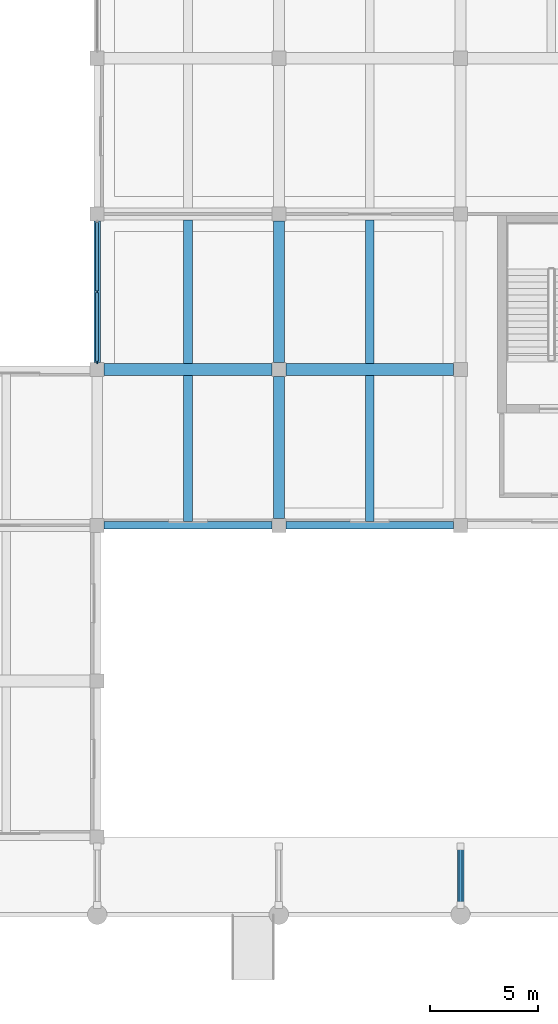
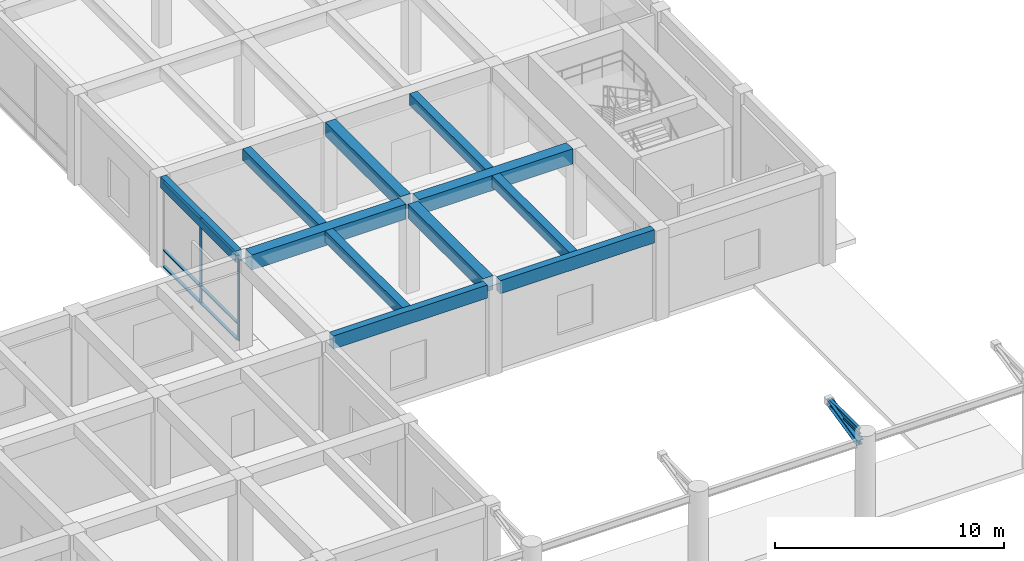
# One storey, part 16 of 49: 12 beams, 9 members, 1 element without a shape of its own.
"""IFC4 building model written with IfcOpenShell, lengths in metres."""

import ifcopenshell
import ifcopenshell.guid

model = None  # the IFC model being written
_history = None  # IfcOwnerHistory: only IFC2X3 demands one
_inside = {}  # id of a spatial element -> (the spatial element, [elements in it])
_under = {}  # id of a project, library or spatial element -> (it, [spatial elements below it])
_declared = {}  # id of a project -> (the project, [libraries it declares])
_typed = {}  # id of a type object -> (the type object, [elements of that type])
_made_of = {}  # id of a material, layer set ... -> (it, [elements and type objects made of it])


def new_model(schema):
    """Start an empty IFC model of exactly this schema.

    Asked for "IFC4X3", IfcOpenShell would pick the latest addendum, in which some entities
    have other attributes; the version numbers below select the first issue.
    IFC2X3 requires an IfcOwnerHistory on every rooted entity: one is made here for all.
    """
    global model, _history
    if schema == "IFC4X3":
        model = ifcopenshell.file(schema_version=(4, 3, 0, 0))
    else:
        model = ifcopenshell.file(schema=schema)
    _inside.clear()
    _under.clear()
    _declared.clear()
    _typed.clear()
    _made_of.clear()
    _history = None
    if model.schema == "IFC2X3":
        org = make("IfcOrganization", Name="unknown")
        user = make(
            "IfcPersonAndOrganization",
            ThePerson=make("IfcPerson", FamilyName="unknown"),
            TheOrganization=org,
        )
        app = make(
            "IfcApplication",
            ApplicationDeveloper=org,
            Version="unknown",
            ApplicationFullName="unknown",
            ApplicationIdentifier="unknown",
        )
        _history = make(
            "IfcOwnerHistory",
            OwningUser=user,
            OwningApplication=app,
            ChangeAction="ADDED",
            CreationDate=0,
        )
    return model


def make(cls, **values):
    """One entity of the class cls with the attributes given. An attribute that is None is left unset."""
    return model.create_entity(
        cls, **{name: value for name, value in values.items() if value is not None}
    )


def rooted(cls, **values):
    """An entity with a GlobalId (a new one), such as an element, a storey or a relation."""
    return make(cls, GlobalId=ifcopenshell.guid.new(), OwnerHistory=_history, **values)


def si_unit(unit_type, name, prefix=None):
    """IfcSIUnit, for example si_unit("LENGTHUNIT", "METRE", prefix="MILLI")."""
    return make("IfcSIUnit", UnitType=unit_type, Prefix=prefix, Name=name)


def assignment(units):
    """IfcUnitAssignment: the units of a project."""
    return None if units is None else make("IfcUnitAssignment", Units=units)


def point(xyz):
    """IfcCartesianPoint."""
    return None if xyz is None else make("IfcCartesianPoint", Coordinates=xyz)


def direction(xyz):
    """IfcDirection."""
    return None if xyz is None else make("IfcDirection", DirectionRatios=xyz)


def frame(location, z_axis=None, x_axis=None):
    """IfcAxis2Placement3D, a coordinate frame: its origin and axes. An axis left out is left unset."""
    return make(
        "IfcAxis2Placement3D",
        Location=point(location),
        Axis=direction(z_axis),
        RefDirection=direction(x_axis),
    )


def frame_2d(location, x_axis=None):
    """IfcAxis2Placement2D, a coordinate frame in the plane: its origin and x axis."""
    return make(
        "IfcAxis2Placement2D", Location=point(location), RefDirection=direction(x_axis)
    )


def origin():
    """The frame at (0, 0, 0) with its axes left unset."""
    return frame((0.0, 0.0, 0.0))


def origin_2d():
    """The frame at (0, 0) in the plane with its x axis left unset."""
    return frame_2d((0.0, 0.0))


def place(relative_to, where):
    """IfcLocalPlacement: puts the frame where relative to a parent placement (None: the world)."""
    return make(
        "IfcLocalPlacement", PlacementRelTo=relative_to, RelativePlacement=where
    )


def context(
    kind, dimensions, precision=None, world=None, true_north=None, identifier=None
):
    """IfcGeometricRepresentationContext, for example the 3D "Model" context."""
    return make(
        "IfcGeometricRepresentationContext",
        ContextIdentifier=identifier,
        ContextType=kind,
        CoordinateSpaceDimension=dimensions,
        Precision=precision,
        WorldCoordinateSystem=world,
        TrueNorth=true_north,
    )


def subcontext(parent, identifier, kind, view, scale=None):
    """IfcGeometricRepresentationSubContext, for example "Body" below "Model"."""
    return make(
        "IfcGeometricRepresentationSubContext",
        ContextIdentifier=identifier,
        ContextType=kind,
        ParentContext=parent,
        TargetScale=scale,
        TargetView=view,
    )


def project(units=None, contexts=None):
    """IfcProject with its units and contexts."""
    return rooted(
        "IfcProject",
        Name="project",
        RepresentationContexts=contexts,
        UnitsInContext=assignment(units),
    )


def spatial(cls, under=None, at=None, **own):
    """A site, building, storey or space (cls), placed at a placement, below another one or the project."""
    s = rooted(cls, ObjectPlacement=at, **own)
    if under is not None:
        _under.setdefault(under.id(), (under, []))[1].append(s)
    return s


def profile(cls, at=None, kind="AREA", **sizes):
    """A parametric profile (cls). Its sizes go by their IFC names, for example OverallWidth=200.0."""
    return make(cls, ProfileType=kind, Position=at, **sizes)


def rectangle(**sizes):
    """IfcRectangleProfileDef."""
    return profile("IfcRectangleProfileDef", **sizes)


def i_section(**sizes):
    """IfcIShapeProfileDef."""
    return profile("IfcIShapeProfileDef", **sizes)


def extrude(swept, where, along, depth):
    """IfcExtrudedAreaSolid: the profile swept, set in the frame where, extruded along a direction by depth."""
    return make(
        "IfcExtrudedAreaSolid",
        SweptArea=swept,
        Position=where,
        ExtrudedDirection=direction(along),
        Depth=depth,
    )


def shape(context_of_items, identifier, shape_type, items):
    """IfcShapeRepresentation: the items that make up one representation, for example the "Body"."""
    return make(
        "IfcShapeRepresentation",
        ContextOfItems=context_of_items,
        RepresentationIdentifier=identifier,
        RepresentationType=shape_type,
        Items=items,
    )


def material(Name=None, Category=None):
    """IfcMaterial."""
    return make("IfcMaterial", Name=Name, Category=Category)


def material_profile(
    of_material, cross_section, Name=None, Category=None, Priority=None
):
    """IfcMaterialProfile: a cross section and its material."""
    return make(
        "IfcMaterialProfile",
        Name=Name,
        Material=of_material,
        Profile=cross_section,
        Priority=Priority,
        Category=Category,
    )


def profile_set(profiles, Name=None, composite=None):
    """IfcMaterialProfileSet."""
    return make(
        "IfcMaterialProfileSet",
        Name=Name,
        MaterialProfiles=profiles,
        CompositeProfile=composite,
    )


def made_of(thing, what):
    """Note that an element or type object is made of a material, layer set ...; save() writes the relation."""
    if what is not None:
        _made_of.setdefault(what.id(), (what, []))[1].append(thing)
    return thing


def type_object(cls, material=None, **own):
    """A type object (cls), such as IfcWallType, which elements share."""
    return made_of(rooted(cls, **own), material)


def element(
    cls,
    number,
    at=None,
    inside=None,
    cuts=None,
    type_object=None,
    material=None,
    context=None,
    identifier="Body",
    shape_type=None,
    held_by="IfcProductDefinitionShape",
    body=None,
    shapes=None,
    **own,
):
    """One element of the class cls, such as IfcWall. Its Tag is "e" and its number.

    at: its placement. inside: the storey or other place that contains it. cuts: it is an
    opening in that element (IfcRelVoidsElement). A single representation is given by context,
    identifier, shape_type and body (its items); several are given by shapes. held_by: the class
    of the entity that holds the representations. save() writes the other relations.
    """
    e = rooted(cls, Tag="e%d" % number, ObjectPlacement=at, **own)
    if body is not None:
        shapes = [shape(context, identifier, shape_type, body)]
    if shapes is not None:
        e.Representation = make(held_by, Representations=shapes)
    if inside is not None:
        _inside.setdefault(inside.id(), (inside, []))[1].append(e)
    if cuts is not None:
        rooted(
            "IfcRelVoidsElement", RelatingBuildingElement=cuts, RelatedOpeningElement=e
        )
    if type_object is not None:
        _typed.setdefault(type_object.id(), (type_object, []))[1].append(e)
    return made_of(e, material)


def aggregate(whole, parts):
    """IfcRelAggregates: a whole, such as a stair, and the parts it consists of."""
    return rooted("IfcRelAggregates", RelatingObject=whole, RelatedObjects=parts)


def save(model, path):
    """Write the relations noted so far, then the file.

    IfcRelAggregates (storeys below a building ...), IfcRelContainedInSpatialStructure (elements
    in a storey), IfcRelDefinesByType, IfcRelAssociatesMaterial and IfcRelDeclares: one each for
    every whole, place, type object, material and project.
    """
    for whole, parts in _under.values():
        aggregate(whole, parts)
    for where, things in _inside.values():
        rooted(
            "IfcRelContainedInSpatialStructure",
            RelatedElements=things,
            RelatingStructure=where,
        )
    for kind, things in _typed.values():
        rooted("IfcRelDefinesByType", RelatedObjects=things, RelatingType=kind)
    for what, things in _made_of.values():
        rooted("IfcRelAssociatesMaterial", RelatedObjects=things, RelatingMaterial=what)
    for by, libraries in _declared.values():
        rooted("IfcRelDeclares", RelatingContext=by, RelatedDefinitions=libraries)
    model.write(path)


model = new_model("IFC4")

# Units and contexts
model_context = context("Model", 3, precision=1e-05, world=origin(), true_north=direction((0.0, 1.0)))
body_context = subcontext(model_context, "Body", "Model", "MODEL_VIEW")
ifc_project = project(units=[si_unit("LENGTHUNIT", "METRE"), si_unit("AREAUNIT", "SQUARE_METRE"), si_unit("VOLUMEUNIT", "CUBIC_METRE"), si_unit("PLANEANGLEUNIT", "RADIAN"), si_unit("MASSUNIT", "GRAM", prefix="KILO")], contexts=[model_context])

# Site, building, storey
site_placement = place(None, origin())
site = spatial("IfcSite", under=ifc_project, at=site_placement, CompositionType="ELEMENT")
building_placement = place(site_placement, origin())
building = spatial("IfcBuilding", under=site, at=building_placement, Name="Kenerak Square Central Library", CompositionType="ELEMENT")
storey_placement = place(building_placement, origin())
storey = spatial("IfcBuildingStorey", under=building, at=storey_placement, Name="L00", CompositionType="ELEMENT", Elevation=0.0)

# Beam
ifc_material_1 = material(Name="Steel S355", Category="steel")
ifc_material_profile_1 = material_profile(ifc_material_1, i_section(OverallWidth=0.14990234375, OverallDepth=0.300048828125, WebThickness=0.007080078125, FlangeThickness=0.0107421875, FilletRadius=0.014892578125, at=origin_2d()), Name="IPE 300")
ifc_profile_set_1 = profile_set([ifc_material_profile_1], Name="Steel S355")
beam_type_1 = type_object("IfcBeamType", Name="Canopy Steel Joist SJ-02 IPE 300 S355", PredefinedType="JOIST", material=ifc_profile_set_1)
beam_1_placement = place(storey_placement, frame((167.60009765625, 13.64990234375, 4.5), z_axis=(0.0, 1.0, 0.0), x_axis=(-1.0, 0.0, 0.0)))
element("IfcBeam", 1, at=beam_1_placement, inside=storey, type_object=beam_type_1, Name="Colonnade Canopy Tie Joist SJ-02 12", PredefinedType="JOIST", context=body_context, shape_type="SweptSolid", body=[
    extrude(i_section(OverallWidth=0.14990234375, OverallDepth=0.300048828125, WebThickness=0.007080078125, FlangeThickness=0.0107421875, FilletRadius=0.014892578125, at=origin_2d()), origin(), (0.0, 0.0, 1.0), 2.7001953125),
])

# Member
ifc_material_profile_2 = material_profile(ifc_material_1, i_section(OverallWidth=0.300048828125, OverallDepth=0.300048828125, WebThickness=0.010986328125, FlangeThickness=0.01904296875, FilletRadius=0.027099609375, at=origin_2d()), Name="HEB 300")
ifc_profile_set_2 = profile_set([ifc_material_profile_2], Name="Steel S355")
member_type_1 = type_object("IfcMemberType", Name="Canopy Tie Member CT-01 HEB 300 S355", PredefinedType="STRUT", material=ifc_profile_set_2)
member_1_placement = place(storey_placement, frame((167.60009765625, 13.64990234375, 3.89990234375), z_axis=(0.0, 0.976182906477, 0.216949148655), x_axis=(-1.0, 0.0, 0.0)))
element("IfcMember", 2, at=member_1_placement, inside=storey, type_object=member_type_1, Name="Colonnade Raking Tie CT-01 12", PredefinedType="STRUT", context=body_context, shape_type="SweptSolid", body=[
    extrude(i_section(OverallWidth=0.300048828125, OverallDepth=0.300048828125, WebThickness=0.010986328125, FlangeThickness=0.01904296875, FilletRadius=0.027099609375, at=origin_2d()), origin(), (0.0, 0.0, 1.0), 2.76611328125),
])

# Beam
ifc_material_2 = material(Name="Concrete C40/50", Category="concrete")
ifc_material_profile_3 = material_profile(ifc_material_2, rectangle(XDim=0.300048828125, YDim=0.60009765625, at=origin_2d()), Name="RC 300x600")
ifc_profile_set_3 = profile_set([ifc_material_profile_3], Name="Concrete C40/50")
beam_type_2 = type_object("IfcBeamType", Name="Courtyard Spandrel Beam SP-02 RC 300x600 C40/50", PredefinedType="SPANDREL", material=ifc_profile_set_3)
beam_2_placement = place(storey_placement, frame((150.800048828125, 38.72509765625, 4.5), z_axis=(0.0, 1.0, 0.0), x_axis=(-1.0, 0.0, 0.0)))
element("IfcBeam", 3, at=beam_2_placement, inside=storey, type_object=beam_type_2, Name="Beam SP-02 L00 0733", PredefinedType="SPANDREL", context=body_context, shape_type="SweptSolid", body=[
    extrude(rectangle(XDim=0.300048828125, YDim=0.60009765625, at=origin_2d()), origin(), (0.0, 0.0, 1.0), 6.5498046875),
])

# Curtain wall, members
ifc_material_3 = material(Name="Anodised aluminium and solar-control low-E glazing", Category="aluminium")
curtain_wall_type = type_object("IfcCurtainWallType", Name="Curtain Wall CW-V2-65x45 6550x4525", PredefinedType="USERDEFINED", material=ifc_material_3)
curtain_wall_placement = place(storey_placement, origin())
curtain_wall = element("IfcCurtainWall", 4, at=curtain_wall_placement, inside=storey, type_object=curtain_wall_type, Name="Curtain Wall CW-V2-65x45 L00 0014", ObjectType="CURTAIN WALL", PredefinedType="USERDEFINED")
ifc_material_4 = material(Name="Anodised aluminium 6063-T6", Category="aluminium")
ifc_material_profile_4 = material_profile(ifc_material_4, rectangle(XDim=0.06005859375, YDim=0.14990234375, at=origin_2d()), Name="AL MULLION 60x150")
ifc_profile_set_4 = profile_set([ifc_material_profile_4], Name="Anodised aluminium 6063-T6")
member_type_2 = type_object("IfcMemberType", Name="Curtain Mullion CM-03 60x150", PredefinedType="MULLION", material=ifc_profile_set_4)
member_2_placement = place(storey_placement, frame((150.800048828125, 38.7548828125, 0.0), z_axis=(0.0, 0.0, 1.0), x_axis=(-1.0, 0.0, 0.0)))
member_2 = element("IfcMember", 5, at=member_2_placement, type_object=member_type_2, Name="CW-V2-65x45 Mullion 1", PredefinedType="MULLION", context=body_context, shape_type="SweptSolid", body=[
    extrude(rectangle(XDim=0.06005859375, YDim=0.14990234375, at=origin_2d()), origin(), (0.0, 0.0, 1.0), 4.52490234375),
])
member_3_placement = place(storey_placement, frame((150.800048828125, 42.0, 0.0), z_axis=(0.0, 0.0, 1.0), x_axis=(-1.0, 0.0, 0.0)))
member_3 = element("IfcMember", 6, at=member_3_placement, type_object=member_type_2, Name="CW-V2-65x45 Mullion 2", PredefinedType="MULLION", context=body_context, shape_type="SweptSolid", body=[
    extrude(rectangle(XDim=0.06005859375, YDim=0.14990234375, at=origin_2d()), origin(), (0.0, 0.0, 1.0), 4.52490234375),
])
ifc_material_profile_5 = material_profile(ifc_material_4, rectangle(XDim=0.139892578125, YDim=0.06005859375, at=origin_2d()), Name="AL TRANSOM 140x60")
ifc_profile_set_5 = profile_set([ifc_material_profile_5], Name="Anodised aluminium 6063-T6")
member_type_3 = type_object("IfcMemberType", Name="Curtain Transom CT-13 140x60", PredefinedType="USERDEFINED", material=ifc_profile_set_5)
member_4_placement = place(storey_placement, frame((150.800048828125, 38.784912109375, 0.030029296875), z_axis=(0.0, 1.0, 0.0), x_axis=(-1.0, 0.0, 0.0)))
member_4 = element("IfcMember", 7, at=member_4_placement, type_object=member_type_3, Name="CW-V2-65x45 Transom 1.1", ObjectType="TRANSOM", PredefinedType="USERDEFINED", context=body_context, shape_type="SweptSolid", body=[
    extrude(rectangle(XDim=0.139892578125, YDim=0.06005859375, at=origin_2d()), origin(), (0.0, 0.0, 1.0), 3.18505859375),
])
member_5_placement = place(storey_placement, frame((150.800048828125, 38.784912109375, 0.89990234375), z_axis=(0.0, 1.0, 0.0), x_axis=(-1.0, 0.0, 0.0)))
member_5 = element("IfcMember", 8, at=member_5_placement, type_object=member_type_3, Name="CW-V2-65x45 Transom 1.2", ObjectType="TRANSOM", PredefinedType="USERDEFINED", context=body_context, shape_type="SweptSolid", body=[
    extrude(rectangle(XDim=0.139892578125, YDim=0.06005859375, at=origin_2d()), origin(), (0.0, 0.0, 1.0), 3.18505859375),
])
member_6_placement = place(storey_placement, frame((150.800048828125, 38.784912109375, 4.4951171875), z_axis=(0.0, 1.0, 0.0), x_axis=(-1.0, 0.0, 0.0)))
member_6 = element("IfcMember", 9, at=member_6_placement, type_object=member_type_3, Name="CW-V2-65x45 Transom 1.3", ObjectType="TRANSOM", PredefinedType="USERDEFINED", context=body_context, shape_type="SweptSolid", body=[
    extrude(rectangle(XDim=0.139892578125, YDim=0.06005859375, at=origin_2d()), origin(), (0.0, 0.0, 1.0), 3.18505859375),
])
member_7_placement = place(storey_placement, frame((150.800048828125, 42.030029296875, 0.030029296875), z_axis=(0.0, 1.0, 0.0), x_axis=(-1.0, 0.0, 0.0)))
member_7 = element("IfcMember", 10, at=member_7_placement, type_object=member_type_3, Name="CW-V2-65x45 Transom 2.1", ObjectType="TRANSOM", PredefinedType="USERDEFINED", context=body_context, shape_type="SweptSolid", body=[
    extrude(rectangle(XDim=0.139892578125, YDim=0.06005859375, at=origin_2d()), origin(), (0.0, 0.0, 1.0), 3.18505859375),
])
member_8_placement = place(storey_placement, frame((150.800048828125, 42.030029296875, 0.89990234375), z_axis=(0.0, 1.0, 0.0), x_axis=(-1.0, 0.0, 0.0)))
member_8 = element("IfcMember", 11, at=member_8_placement, type_object=member_type_3, Name="CW-V2-65x45 Transom 2.2", ObjectType="TRANSOM", PredefinedType="USERDEFINED", context=body_context, shape_type="SweptSolid", body=[
    extrude(rectangle(XDim=0.139892578125, YDim=0.06005859375, at=origin_2d()), origin(), (0.0, 0.0, 1.0), 3.18505859375),
])
member_9_placement = place(storey_placement, frame((150.800048828125, 42.030029296875, 4.4951171875), z_axis=(0.0, 1.0, 0.0), x_axis=(-1.0, 0.0, 0.0)))
member_9 = element("IfcMember", 12, at=member_9_placement, type_object=member_type_3, Name="CW-V2-65x45 Transom 2.3", ObjectType="TRANSOM", PredefinedType="USERDEFINED", context=body_context, shape_type="SweptSolid", body=[
    extrude(rectangle(XDim=0.139892578125, YDim=0.06005859375, at=origin_2d()), origin(), (0.0, 0.0, 1.0), 3.18505859375),
])
aggregate(curtain_wall, [member_2, member_3, member_4, member_5, member_6, member_7, member_8, member_9])

# Beams
ifc_material_profile_6 = material_profile(ifc_material_2, rectangle(XDim=0.35009765625, YDim=0.699951171875, at=origin_2d()), Name="RC 350x700")
ifc_profile_set_6 = profile_set([ifc_material_profile_6], Name="Concrete C40/50")
beam_type_3 = type_object("IfcBeamType", Name="Expressed Spandrel Beam SP-01 RC 350x700 C40/50", PredefinedType="SPANDREL", material=ifc_profile_set_6)
for number, where, z_axis, x_axis, name in (
    (13, (151.125, 31.199951171875, 4.449951171875), (1.0, 0.0, 0.0), (0.0, 1.0, 0.0), "Beam SP-01 L00 0488"),
    (14, (159.52490234375, 31.199951171875, 4.449951171875), (1.0, 0.0, 0.0), (0.0, 1.0, 0.0), "Beam SP-01 L00 0489"),
):
    element("IfcBeam", number, at=place(storey_placement, frame(where, z_axis=z_axis, x_axis=x_axis)), inside=storey, type_object=beam_type_3, Name=name, PredefinedType="SPANDREL", context=body_context, shape_type="SweptSolid", body=[
        extrude(rectangle(XDim=0.35009765625, YDim=0.699951171875, at=origin_2d()), origin(), (0.0, 0.0, 1.0), 7.75),
    ])
ifc_material_profile_7 = material_profile(ifc_material_2, rectangle(XDim=0.550048828125, YDim=0.800048828125, at=origin_2d()), Name="RC 550x800")
ifc_profile_set_7 = profile_set([ifc_material_profile_7], Name="Concrete C40/50")
beam_type_4 = type_object("IfcBeamType", Name="Primary Reading Beam B-04 RC 550x800 C40/50", PredefinedType="BEAM", material=ifc_profile_set_7)
for number, where, z_axis, x_axis, name in (
    (15, (151.125, 38.39990234375, 4.39990234375), (1.0, 0.0, 0.0), (0.0, 1.0, 0.0), "Beam B-04 L00 0505"),
    (16, (159.52490234375, 38.39990234375, 4.39990234375), (1.0, 0.0, 0.0), (0.0, 1.0, 0.0), "Beam B-04 L00 0506"),
):
    element("IfcBeam", number, at=place(storey_placement, frame(where, z_axis=z_axis, x_axis=x_axis)), inside=storey, type_object=beam_type_4, Name=name, PredefinedType="BEAM", context=body_context, shape_type="SweptSolid", body=[
        extrude(rectangle(XDim=0.550048828125, YDim=0.800048828125, at=origin_2d()), origin(), (0.0, 0.0, 1.0), 7.75),
    ])
ifc_material_profile_8 = material_profile(ifc_material_2, rectangle(XDim=0.39990234375, YDim=0.60009765625, at=origin_2d()), Name="RC 400x600")
ifc_profile_set_8 = profile_set([ifc_material_profile_8], Name="Concrete C40/50")
beam_type_5 = type_object("IfcBeamType", Name="Secondary Floor Joist J-01 RC 400x600 C40/50", PredefinedType="JOIST", material=ifc_profile_set_8)
beam_3_placement = place(storey_placement, frame((155.0, 31.375, 4.5), z_axis=(0.0, 1.0, 0.0), x_axis=(-1.0, 0.0, 0.0)))
element("IfcBeam", 17, at=beam_3_placement, inside=storey, type_object=beam_type_5, Name="Joist J-01 L00 0846", PredefinedType="JOIST", context=body_context, shape_type="SweptSolid", body=[
    extrude(rectangle(XDim=0.39990234375, YDim=0.60009765625, at=origin_2d()), origin(), (0.0, 0.0, 1.0), 6.75),
])
beam_4_placement = place(storey_placement, frame((155.0, 38.675048828125, 4.5), z_axis=(0.0, 1.0, 0.0), x_axis=(-1.0, 0.0, 0.0)))
element("IfcBeam", 18, at=beam_4_placement, inside=storey, type_object=beam_type_5, Name="Joist J-01 L00 0847", PredefinedType="JOIST", context=body_context, shape_type="SweptSolid", body=[
    extrude(rectangle(XDim=0.39990234375, YDim=0.60009765625, at=origin_2d()), origin(), (0.0, 0.0, 1.0), 6.64990234375),
])
beam_5_placement = place(storey_placement, frame((163.39990234375, 31.375, 4.5), z_axis=(0.0, 1.0, 0.0), x_axis=(-1.0, 0.0, 0.0)))
element("IfcBeam", 19, at=beam_5_placement, inside=storey, type_object=beam_type_5, Name="Joist J-01 L00 0851", PredefinedType="JOIST", context=body_context, shape_type="SweptSolid", body=[
    extrude(rectangle(XDim=0.39990234375, YDim=0.60009765625, at=origin_2d()), origin(), (0.0, 0.0, 1.0), 6.75),
])
beam_6_placement = place(storey_placement, frame((163.39990234375, 38.675048828125, 4.5), z_axis=(0.0, 1.0, 0.0), x_axis=(-1.0, 0.0, 0.0)))
element("IfcBeam", 20, at=beam_6_placement, inside=storey, type_object=beam_type_5, Name="Joist J-01 L00 0852", PredefinedType="JOIST", context=body_context, shape_type="SweptSolid", body=[
    extrude(rectangle(XDim=0.39990234375, YDim=0.60009765625, at=origin_2d()), origin(), (0.0, 0.0, 1.0), 6.64990234375),
])
ifc_material_profile_9 = material_profile(ifc_material_2, rectangle(XDim=0.5, YDim=0.75, at=origin_2d()), Name="RC 500x750")
ifc_profile_set_9 = profile_set([ifc_material_profile_9], Name="Concrete C40/50")
beam_type_6 = type_object("IfcBeamType", Name="Transverse Frame Beam B-05 RC 500x750 C40/50", PredefinedType="BEAM", material=ifc_profile_set_9)
beam_7_placement = place(storey_placement, frame((159.199951171875, 31.52490234375, 4.425048828125), z_axis=(0.0, 1.0, 0.0), x_axis=(-1.0, 0.0, 0.0)))
element("IfcBeam", 21, at=beam_7_placement, inside=storey, type_object=beam_type_6, Name="Beam B-05 L00 0737", PredefinedType="BEAM", context=body_context, shape_type="SweptSolid", body=[
    extrude(rectangle(XDim=0.5, YDim=0.75, at=origin_2d()), origin(), (0.0, 0.0, 1.0), 6.550048828125),
])
beam_8_placement = place(storey_placement, frame((159.199951171875, 38.72509765625, 4.425048828125), z_axis=(0.0, 1.0, 0.0), x_axis=(-1.0, 0.0, 0.0)))
element("IfcBeam", 22, at=beam_8_placement, inside=storey, type_object=beam_type_6, Name="Beam B-05 L00 0738", PredefinedType="BEAM", context=body_context, shape_type="SweptSolid", body=[
    extrude(rectangle(XDim=0.5, YDim=0.75, at=origin_2d()), origin(), (0.0, 0.0, 1.0), 6.5498046875),
])

save(model, "model.ifc")
